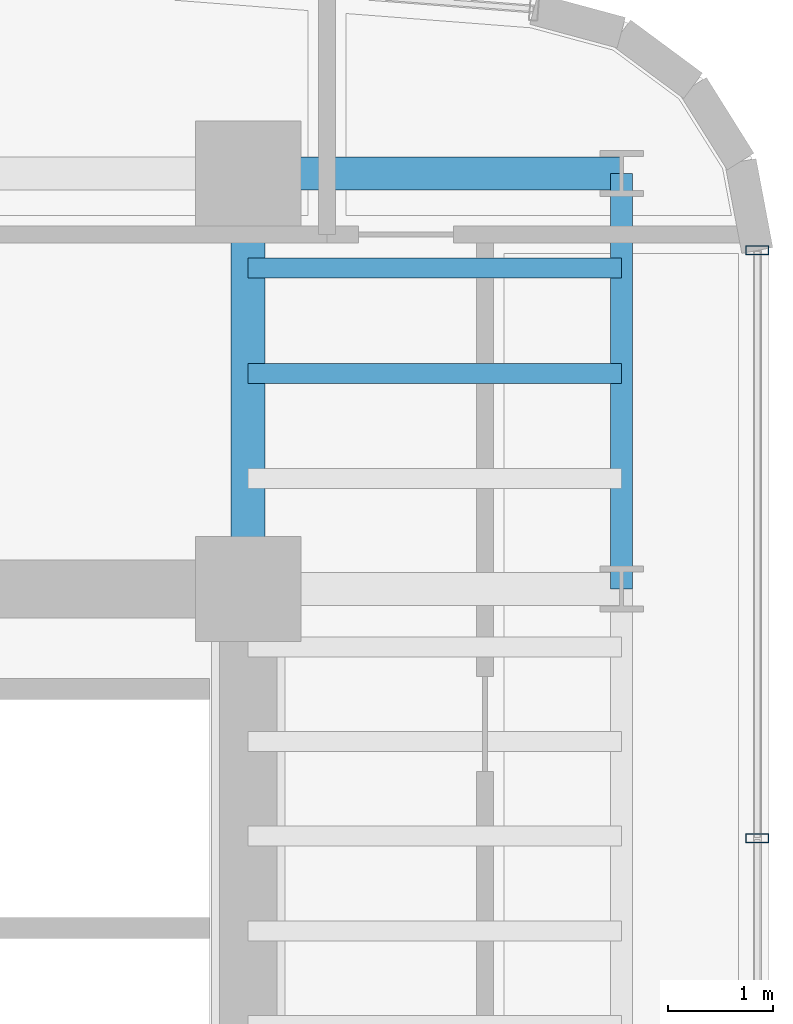
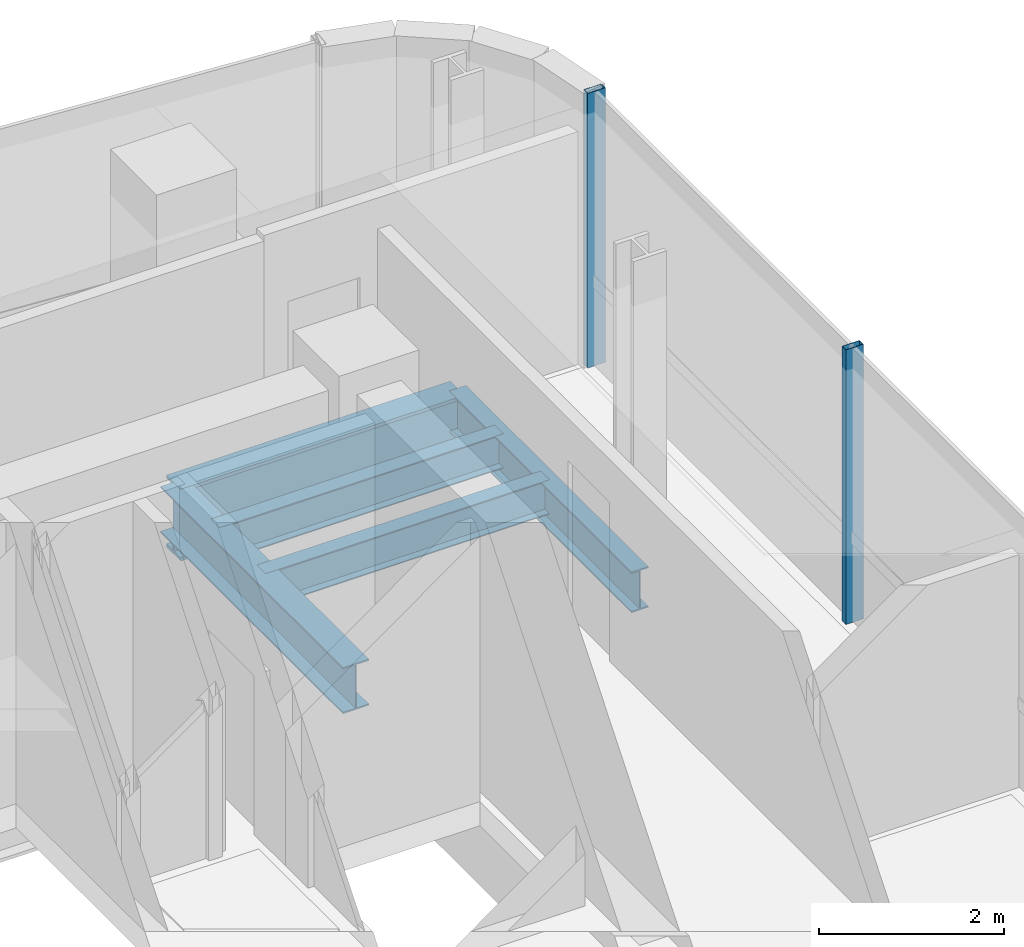
# One storey, part 17 of 37: 5 beams, 2 members, 1 element without a shape of its own.
"""IFC4 building model written with IfcOpenShell, lengths in metres."""

from ifc_helpers import new_model, si_unit, direction, frame, origin, origin_2d, place, context, subcontext, project, spatial, hollow_rectangle, i_section, extrude, source, transform, mapped, material, material_profile, profile_set, type_object, element, aggregate, save


model = new_model("IFC4")

# Units and contexts
model_context = context("Model", 3, precision=1e-05, world=origin(), true_north=direction((0.0, 1.0)))
body_context = subcontext(model_context, "Body", "Model", "MODEL_VIEW")
ifc_project = project(units=[si_unit("LENGTHUNIT", "METRE"), si_unit("AREAUNIT", "SQUARE_METRE"), si_unit("VOLUMEUNIT", "CUBIC_METRE"), si_unit("PLANEANGLEUNIT", "RADIAN"), si_unit("MASSUNIT", "GRAM", prefix="KILO")], contexts=[model_context])

# Site, building, storey
site_placement = place(None, origin())
site = spatial("IfcSite", under=ifc_project, at=site_placement, CompositionType="ELEMENT")
building_placement = place(site_placement, origin())
building = spatial("IfcBuilding", under=site, at=building_placement, Name="Valdorenza Pilgrim Sanctuary Tower", CompositionType="ELEMENT")
storey_placement = place(building_placement, frame((0.0, 0.0, 188.39990234375)))
storey = spatial("IfcBuildingStorey", under=building, at=storey_placement, Name="L48", CompositionType="ELEMENT", Elevation=188.39990234375)

# Beams
ifc_material_1 = material(Name="Steel ASTM A992 Grade 50", Category="steel")
ifc_material_profile_1 = material_profile(ifc_material_1, i_section(OverallWidth=0.323974609375, OverallDepth=0.611083984375, WebThickness=0.0126953125, FlangeThickness=0.01904296875, at=origin_2d()), Name="W24X104")
ifc_profile_set_1 = profile_set([ifc_material_profile_1], Name="Steel ASTM A992 Grade 50")
beam_type_1 = type_object("IfcBeamType", Name="STR-BM-GRD-W24B", PredefinedType="BEAM", material=ifc_profile_set_1)
shared_shape_1 = source(origin(), body_context, "Body", "SweptSolid", [
    extrude(i_section(OverallWidth=0.323974609375, OverallDepth=0.611083984375, WebThickness=0.0126953125, FlangeThickness=0.01904296875, at=origin_2d()), origin(), (0.0, 0.0, 1.0), 3.949951171875),
])
beam_1_placement = place(storey_placement, frame((24.85009765625, 9.550048828125, -0.62548828125), z_axis=(0.0, 1.0, 0.0), x_axis=(-1.0, 0.0, 0.0)))
element("IfcBeam", 1, at=beam_1_placement, inside=storey, type_object=beam_type_1, Name="L48 Core Tie Girder CB-E-N1N2", PredefinedType="BEAM", context=body_context, shape_type="MappedRepresentation", body=[
    mapped(shared_shape_1, transform((0.0, 0.0, 0.0), x_axis=(1.0, 0.0, 0.0), y_axis=(0.0, 1.0, 0.0), z_axis=(0.0, 0.0, 1.0), scale=1.0)),
])
ifc_material_profile_2 = material_profile(ifc_material_1, i_section(OverallWidth=0.19091796875, OverallDepth=0.45703125, WebThickness=0.009033203125, FlangeThickness=0.014404296875, at=origin_2d()), Name="W18X50")
ifc_profile_set_2 = profile_set([ifc_material_profile_2], Name="Steel ASTM A992 Grade 50")
beam_type_2 = type_object("IfcBeamType", Name="STR-BM-JST-W18B", PredefinedType="JOIST", material=ifc_profile_set_2)
shared_shape_2 = source(origin(), body_context, "Body", "SweptSolid", [
    extrude(i_section(OverallWidth=0.19091796875, OverallDepth=0.45703125, WebThickness=0.009033203125, FlangeThickness=0.014404296875, at=origin_2d()), origin(), (0.0, 0.0, 1.0), 3.5498046875),
])
for number, where, z_axis, x_axis, name in (
    (2, (24.85009765625, 11.60009765625, -0.54833984375), (1.0, 0.0, 0.0), (0.0, 1.0, 0.0), "L48 Composite Floor Joist JST-WB-20"),
    (3, (24.85009765625, 12.60009765625, -0.54833984375), (1.0, 0.0, 0.0), (0.0, 1.0, 0.0), "L48 Composite Floor Joist JST-WB-21"),
):
    element("IfcBeam", number, at=place(storey_placement, frame(where, z_axis=z_axis, x_axis=x_axis)), inside=storey, type_object=beam_type_2, Name=name, PredefinedType="JOIST", context=body_context, shape_type="MappedRepresentation", body=[
        mapped(shared_shape_2, transform((0.0, 0.0, 0.0), x_axis=(1.0, 0.0, 0.0), y_axis=(0.0, 1.0, 0.0), z_axis=(0.0, 0.0, 1.0), scale=1.0)),
    ])
ifc_material_profile_3 = material_profile(ifc_material_1, i_section(OverallWidth=0.2109375, OverallDepth=0.5390625, WebThickness=0.01171875, FlangeThickness=0.018798828125, at=origin_2d()), Name="W21X73")
ifc_profile_set_3 = profile_set([ifc_material_profile_3], Name="Steel ASTM A992 Grade 50")
beam_type_3 = type_object("IfcBeamType", Name="STR-BM-SPN-W21B", PredefinedType="SPANDREL", material=ifc_profile_set_3)
shared_shape_3 = source(origin(), body_context, "Body", "SweptSolid", [
    extrude(i_section(OverallWidth=0.2109375, OverallDepth=0.5390625, WebThickness=0.01171875, FlangeThickness=0.018798828125, at=origin_2d()), origin(), (0.0, 0.0, 1.0), 3.949951171875),
])
beam_2_placement = place(storey_placement, frame((28.39990234375, 9.550048828125, -0.58935546875), z_axis=(0.0, 1.0, 0.0), x_axis=(-1.0, 0.0, 0.0)))
element("IfcBeam", 4, at=beam_2_placement, inside=storey, type_object=beam_type_3, Name="L48 Spandrel Beam WB-E-N1N2", PredefinedType="SPANDREL", context=body_context, shape_type="MappedRepresentation", body=[
    mapped(shared_shape_3, transform((0.0, 0.0, 0.0), x_axis=(1.0, 0.0, 0.0), y_axis=(0.0, 1.0, 0.0), z_axis=(0.0, 0.0, 1.0), scale=1.0)),
])
ifc_material_profile_4 = material_profile(ifc_material_1, i_section(OverallWidth=0.31005859375, OverallDepth=0.949951171875, WebThickness=0.0244140625, FlangeThickness=0.0439453125, at=origin_2d()), Name="W36X256")
ifc_profile_set_4 = profile_set([ifc_material_profile_4], Name="Steel ASTM A992 Grade 50")
beam_type_4 = type_object("IfcBeamType", Name="STR-BM-GRD-W36B", PredefinedType="BEAM", material=ifc_profile_set_4)
shared_shape_4 = source(origin(), body_context, "Body", "SweptSolid", [
    extrude(i_section(OverallWidth=0.31005859375, OverallDepth=0.949951171875, WebThickness=0.0244140625, FlangeThickness=0.0439453125, at=origin_2d()), origin(), (0.0, 0.0, 1.0), 3.5498046875),
])
beam_3_placement = place(storey_placement, frame((24.85009765625, 13.5, -0.794921875), z_axis=(1.0, 0.0, 0.0), x_axis=(0.0, 1.0, 0.0)))
element("IfcBeam", 5, at=beam_3_placement, inside=storey, type_object=beam_type_4, Name="L48 Floor Girder WB-XE-N2", PredefinedType="BEAM", context=body_context, shape_type="MappedRepresentation", body=[
    mapped(shared_shape_4, transform((0.0, 0.0, 0.0), x_axis=(1.0, 0.0, 0.0), y_axis=(0.0, 1.0, 0.0), z_axis=(0.0, 0.0, 1.0), scale=1.0)),
])

# Curtain wall, members
ifc_material_2 = material(Name="Curtain-wall IGU glazing", Category="glass")
curtain_wall_type = type_object("IfcCurtainWallType", Name="CW-SYS-03", PredefinedType="NOTDEFINED", material=ifc_material_2)
curtain_wall_placement = place(storey_placement, origin())
curtain_wall = element("IfcCurtainWall", 6, at=curtain_wall_placement, inside=storey, type_object=curtain_wall_type, Name="L48 Curtain Wall CW-L48-1-37", PredefinedType="NOTDEFINED")
ifc_material_3 = material(Name="Anodised aluminium AW-6060", Category="aluminium")
ifc_material_profile_5 = material_profile(ifc_material_3, hollow_rectangle(XDim=0.0849609375, YDim=0.219970703125, WallThickness=0.0048828125, at=origin_2d()), Name="ALU-M 220x85x5")
ifc_profile_set_5 = profile_set([ifc_material_profile_5], Name="Anodised aluminium AW-6060")
member_type = type_object("IfcMemberType", Name="CW-MUL-03", PredefinedType="MULLION", material=ifc_profile_set_5)
shared_shape_5 = source(origin(), body_context, "Body", "SweptSolid", [
    extrude(hollow_rectangle(XDim=0.0849609375, YDim=0.219970703125, WallThickness=0.0048828125, at=origin_2d()), origin(), (0.0, 0.0, 1.0), 3.630126953125),
])
member_1_placement = place(storey_placement, frame((29.68994140625, 12.768310546875, 0.0), z_axis=(0.0, 0.0, 1.0), x_axis=(0.0, -1.0, 0.0)))
member_1 = element("IfcMember", 7, at=member_1_placement, type_object=member_type, Name="CW-L48-1-37 Mullion 1", PredefinedType="MULLION", context=body_context, shape_type="MappedRepresentation", body=[
    mapped(shared_shape_5, transform((0.0, 0.0, 0.0), x_axis=(1.0, 0.0, 0.0), y_axis=(0.0, 1.0, 0.0), z_axis=(0.0, 0.0, 1.0), scale=1.0)),
])
member_2_placement = place(storey_placement, frame((29.68994140625, 7.178955078125, 0.0), z_axis=(0.0, 0.0, 1.0), x_axis=(0.0, -1.0, 0.0)))
member_2 = element("IfcMember", 8, at=member_2_placement, type_object=member_type, Name="CW-L48-1-37 Mullion 2", PredefinedType="MULLION", context=body_context, shape_type="MappedRepresentation", body=[
    mapped(shared_shape_5, transform((0.0, 0.0, 0.0), x_axis=(1.0, 0.0, 0.0), y_axis=(0.0, 1.0, 0.0), z_axis=(0.0, 0.0, 1.0), scale=1.0)),
])
aggregate(curtain_wall, [member_1, member_2])

save(model, "model.ifc")
